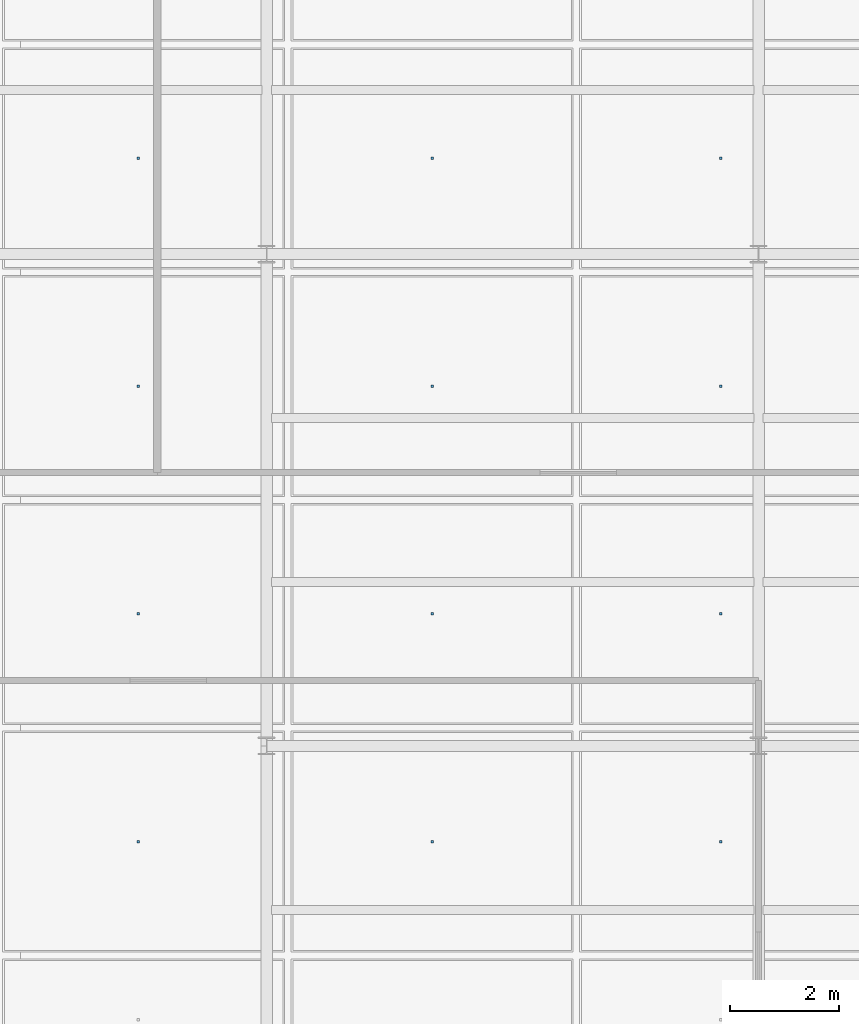
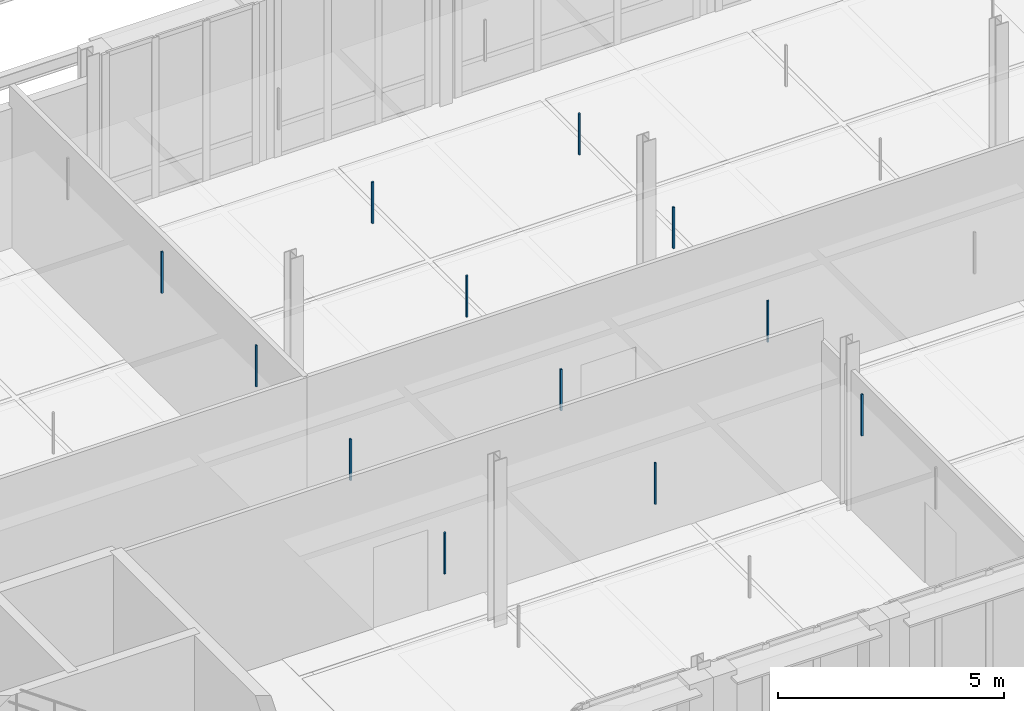
# One storey, part 111 of 140: 12 discrete accessories.
"""IFC4 building model written with IfcOpenShell, lengths in metres."""

from ifc_helpers import new_model, si_unit, direction, frame, origin, origin_2d, place, context, subcontext, project, spatial, rectangle, extrude, material, type_object, element, save


model = new_model("IFC4")

# Units and contexts
model_context = context("Model", 3, precision=1e-05, world=origin(), true_north=direction((0.0, 1.0)))
body_context = subcontext(model_context, "Body", "Model", "MODEL_VIEW")
ifc_project = project(units=[si_unit("LENGTHUNIT", "METRE"), si_unit("AREAUNIT", "SQUARE_METRE"), si_unit("VOLUMEUNIT", "CUBIC_METRE"), si_unit("PLANEANGLEUNIT", "RADIAN"), si_unit("MASSUNIT", "GRAM", prefix="KILO"), si_unit("THERMODYNAMICTEMPERATUREUNIT", "KELVIN"), si_unit("POWERUNIT", "WATT")], contexts=[model_context])

# Site, building, storey
site_placement = place(None, origin())
site = spatial("IfcSite", under=ifc_project, at=site_placement, CompositionType="ELEMENT")
building_placement = place(site_placement, origin())
building = spatial("IfcBuilding", under=site, at=building_placement, Name="Tallowbark Science Centre", CompositionType="ELEMENT")
storey_placement = place(building_placement, frame((0.0, 0.0, 9.89990234375)))
storey = spatial("IfcBuildingStorey", under=building, at=storey_placement, Name="L02", CompositionType="ELEMENT", Elevation=9.89990234375)

# Discrete accessories
ifc_material = material(Name="Galvanised Steel Grade C350L0 (350 MPa)", Category="steel")
discrete_accessory_type = type_object("IfcDiscreteAccessoryType", Name="ACC-CLG-HNG", PredefinedType="BRACKET", material=ifc_material)
for number, where, z_axis, x_axis, name in (
    (1, (87.650390625, 79.25, 3.205078125), (0.0, 0.0, 1.0), (1.0, 0.0, 0.0), "Ceiling Hanger Bracket L02-882"),
    (2, (87.650390625, 83.416748046875, 3.205078125), (0.0, 0.0, 1.0), (1.0, 0.0, 0.0), "Ceiling Hanger Bracket L02-883"),
    (3, (87.650390625, 87.583251953125, 3.205078125), (0.0, 0.0, 1.0), (1.0, 0.0, 0.0), "Ceiling Hanger Bracket L02-884"),
    (4, (87.650390625, 91.75, 3.205078125), (0.0, 0.0, 1.0), (1.0, 0.0, 0.0), "Ceiling Hanger Bracket L02-885"),
    (5, (93.02783203125, 79.25, 3.205078125), (0.0, 0.0, 1.0), (1.0, 0.0, 0.0), "Ceiling Hanger Bracket L02-888"),
    (6, (93.02783203125, 83.416748046875, 3.205078125), (0.0, 0.0, 1.0), (1.0, 0.0, 0.0), "Ceiling Hanger Bracket L02-889"),
    (7, (93.02783203125, 87.583251953125, 3.205078125), (0.0, 0.0, 1.0), (1.0, 0.0, 0.0), "Ceiling Hanger Bracket L02-890"),
    (8, (93.02783203125, 91.75, 3.205078125), (0.0, 0.0, 1.0), (1.0, 0.0, 0.0), "Ceiling Hanger Bracket L02-891"),
    (9, (98.3056640625, 79.25, 3.205078125), (0.0, 0.0, 1.0), (1.0, 0.0, 0.0), "Ceiling Hanger Bracket L02-894"),
    (10, (98.3056640625, 83.416748046875, 3.205078125), (0.0, 0.0, 1.0), (1.0, 0.0, 0.0), "Ceiling Hanger Bracket L02-895"),
    (11, (98.3056640625, 87.583251953125, 3.205078125), (0.0, 0.0, 1.0), (1.0, 0.0, 0.0), "Ceiling Hanger Bracket L02-896"),
    (12, (98.3056640625, 91.75, 3.205078125), (0.0, 0.0, 1.0), (1.0, 0.0, 0.0), "Ceiling Hanger Bracket L02-897"),
):
    element("IfcDiscreteAccessory", number, at=place(storey_placement, frame(where, z_axis=z_axis, x_axis=x_axis)), inside=storey, type_object=discrete_accessory_type, Name=name, PredefinedType="BRACKET", context=body_context, shape_type="SweptSolid", body=[
        extrude(rectangle(XDim=0.044921875, YDim=0.044921875, at=origin_2d()), origin(), (0.0, 0.0, 1.0), 1.117919921875),
    ])

save(model, "model.ifc")
